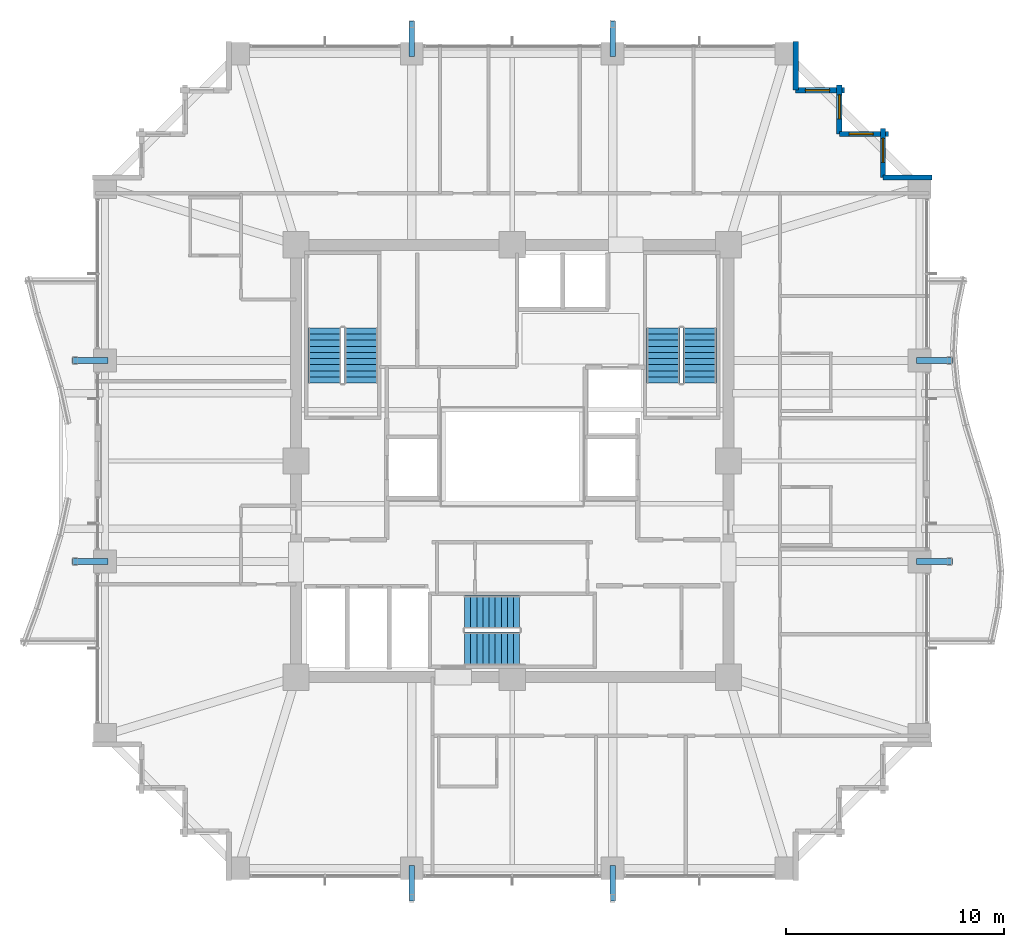
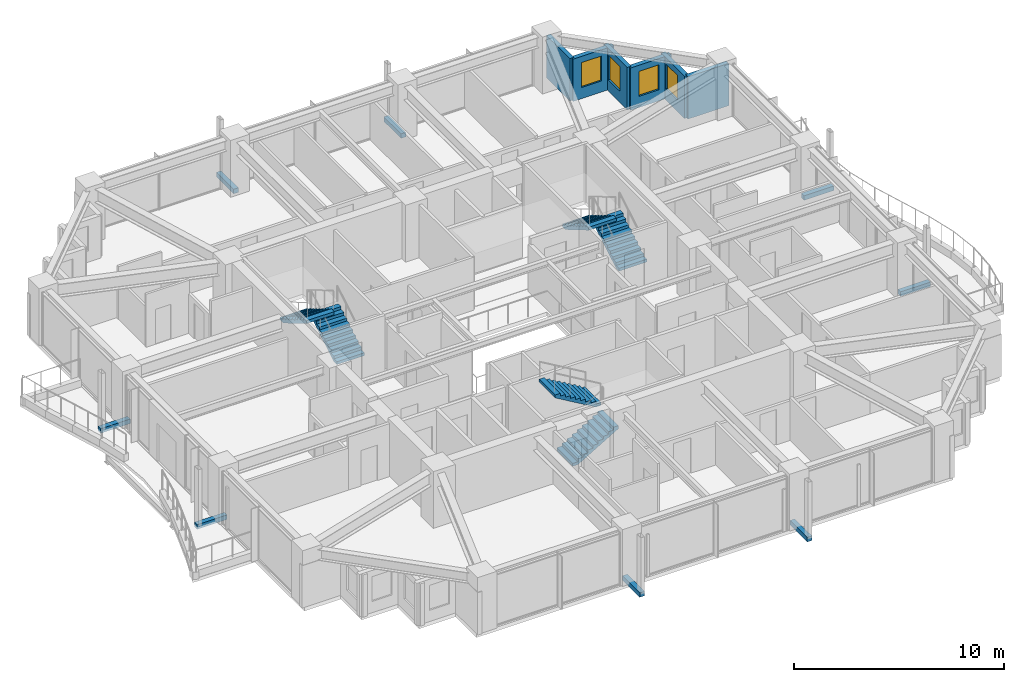
# One storey, part 33 of 35: 8 discrete accessories, 6 stair flights, 6 walls, 4 windows, 4 openings, 3 elements without a shape of their own.
"""IFC4 building model written with IfcOpenShell, lengths in metres."""

from ifc_helpers import new_model, si_unit, direction, frame, frame_2d, origin, origin_2d, place, context, subcontext, project, spatial, polyline, rectangle, outline, extrude, material, layer, layer_set, type_object, element, fill, aggregate, save


model = new_model("IFC4")

# Units and contexts
model_context = context("Model", 3, precision=1e-05, world=origin(), true_north=direction((0.0, 1.0)))
body_context = subcontext(model_context, "Body", "Model", "MODEL_VIEW")
ifc_project = project(units=[si_unit("LENGTHUNIT", "METRE"), si_unit("AREAUNIT", "SQUARE_METRE"), si_unit("VOLUMEUNIT", "CUBIC_METRE"), si_unit("PLANEANGLEUNIT", "RADIAN"), si_unit("MASSUNIT", "GRAM", prefix="KILO")], contexts=[model_context])

# Site, building, storey
site_placement = place(None, origin())
site = spatial("IfcSite", under=ifc_project, at=site_placement, CompositionType="ELEMENT")
building_placement = place(site_placement, origin())
building = spatial("IfcBuilding", under=site, at=building_placement, Name="Kolvaren Belvedere", CompositionType="ELEMENT")
storey_placement = place(building_placement, frame((0.0, 0.0, 115.10009765625)))
storey = spatial("IfcBuildingStorey", under=building, at=storey_placement, Name="L33", CompositionType="ELEMENT", Elevation=115.10009765625)

# Wall
ifc_material_1 = material(Name="Insulated pale-metal facade wall assembly", Category="aluminium")
ifc_layer = layer(ifc_material_1, 0.239990234375)
ifc_layer_set = layer_set([ifc_layer], Name="Insulated pale-metal facade wall assembly")
wall_type = type_object("IfcWallType", Name="WL-EXT-240", PredefinedType="STANDARD", material=ifc_layer_set)
wall_1_placement = place(storey_placement, frame((16.97998046875, 12.97998046875, 0.0), z_axis=(0.0, 0.0, 1.0), x_axis=(1.0, 0.0, 0.0)))
element("IfcWall", 1, at=wall_1_placement, inside=storey, type_object=wall_type, Name="L33 Serrated Corner Facade Wall 9", PredefinedType="STANDARD", context=body_context, shape_type="SweptSolid", body=[
    extrude(rectangle(XDim=2.239990234375, YDim=0.239990234375, at=frame_2d((1.1201171875, 0.0))), origin(), (0.0, 0.0, 1.0), 2.458984375),
])

# Wall, opening, window
wall_2_placement = place(storey_placement, frame((16.97998046875, 15.219970703125, 0.0), z_axis=(0.0, 0.0, 1.0), x_axis=(0.0, -1.0, 0.0)))
wall_2 = element("IfcWall", 2, at=wall_2_placement, inside=storey, type_object=wall_type, Name="L33 Serrated Corner Facade Wall 10", PredefinedType="STANDARD", context=body_context, shape_type="SweptSolid", body=[
    extrude(rectangle(XDim=2.239990234375, YDim=0.239990234375, at=frame_2d((1.1201171875, 0.0))), origin(), (0.0, 0.0, 1.0), 2.458984375),
])
opening_1_placement = place(wall_2_placement, frame((0.449951171875, 0.0, 0.64990234375)))
opening_1 = element("IfcOpeningElement", 3, at=opening_1_placement, cuts=wall_2, Name="Opening W-1100", PredefinedType="OPENING", context=body_context, shape_type="SweptSolid", body=[
    extrude(rectangle(XDim=1.10009765625, YDim=1.449951171875, at=frame_2d((0.550048828125, 0.72509765625))), frame((0.0, 0.1298828125, 0.0), z_axis=(0.0, -1.0, 0.0), x_axis=(1.0, 0.0, 0.0)), (0.0, 0.0, 1.0), 0.260009765625),
])
ifc_material_2 = material(Name="Low-iron triple insulated glass", Category="glass")
window_type = type_object("IfcWindowType", Name="WN-CORN-1100", PartitioningType="SINGLE_PANEL", PredefinedType="WINDOW", material=ifc_material_2)
window_1_placement = place(opening_1_placement, origin())
window_1 = element("IfcWindow", 4, at=window_1_placement, inside=storey, type_object=window_type, Name="L33 Serrated Corner Vision Window 10", OverallHeight=1.449951171875, OverallWidth=1.10009765625, PartitioningType="SINGLE_PANEL", PredefinedType="WINDOW", context=body_context, shape_type="SweptSolid", body=[
    extrude(rectangle(XDim=1.10009765625, YDim=1.449951171875, at=frame_2d((0.550048828125, 0.72509765625))), frame((0.0, 0.030029296875, 0.0), z_axis=(0.0, -1.0, 0.0), x_axis=(1.0, 0.0, 0.0)), (0.0, 0.0, 1.0), 0.06005859375),
])
fill(opening_1, window_1)

wall_3_placement = place(storey_placement, frame((14.97998046875, 14.97998046875, 0.0), z_axis=(0.0, 0.0, 1.0), x_axis=(1.0, 0.0, 0.0)))
wall_3 = element("IfcWall", 5, at=wall_3_placement, inside=storey, type_object=wall_type, Name="L33 Serrated Corner Facade Wall 11", PredefinedType="STANDARD", context=body_context, shape_type="SweptSolid", body=[
    extrude(rectangle(XDim=2.239990234375, YDim=0.239990234375, at=frame_2d((1.1201171875, 0.0))), origin(), (0.0, 0.0, 1.0), 2.458984375),
])
opening_2_placement = place(wall_3_placement, frame((0.449951171875, 0.0, 0.64990234375)))
opening_2 = element("IfcOpeningElement", 6, at=opening_2_placement, cuts=wall_3, Name="Opening W-1100", PredefinedType="OPENING", context=body_context, shape_type="SweptSolid", body=[
    extrude(rectangle(XDim=1.10009765625, YDim=1.449951171875, at=frame_2d((0.550048828125, 0.72509765625))), frame((0.0, 0.1298828125, 0.0), z_axis=(0.0, -1.0, 0.0), x_axis=(1.0, 0.0, 0.0)), (0.0, 0.0, 1.0), 0.260009765625),
])
window_2_placement = place(opening_2_placement, origin())
window_2 = element("IfcWindow", 7, at=window_2_placement, inside=storey, type_object=window_type, Name="L33 Serrated Corner Vision Window 11", OverallHeight=1.449951171875, OverallWidth=1.10009765625, PartitioningType="SINGLE_PANEL", PredefinedType="WINDOW", context=body_context, shape_type="SweptSolid", body=[
    extrude(rectangle(XDim=1.10009765625, YDim=1.449951171875, at=frame_2d((0.550048828125, 0.72509765625))), frame((0.0, 0.030029296875, 0.0), z_axis=(0.0, -1.0, 0.0), x_axis=(1.0, 0.0, 0.0)), (0.0, 0.0, 1.0), 0.06005859375),
])
fill(opening_2, window_2)

wall_4_placement = place(storey_placement, frame((14.97998046875, 17.219970703125, 0.0), z_axis=(0.0, 0.0, 1.0), x_axis=(0.0, -1.0, 0.0)))
wall_4 = element("IfcWall", 8, at=wall_4_placement, inside=storey, type_object=wall_type, Name="L33 Serrated Corner Facade Wall 12", PredefinedType="STANDARD", context=body_context, shape_type="SweptSolid", body=[
    extrude(rectangle(XDim=2.239990234375, YDim=0.239990234375, at=frame_2d((1.1201171875, 0.0))), origin(), (0.0, 0.0, 1.0), 2.458984375),
])
opening_3_placement = place(wall_4_placement, frame((0.449951171875, 0.0, 0.64990234375)))
opening_3 = element("IfcOpeningElement", 9, at=opening_3_placement, cuts=wall_4, Name="Opening W-1100", PredefinedType="OPENING", context=body_context, shape_type="SweptSolid", body=[
    extrude(rectangle(XDim=1.10009765625, YDim=1.449951171875, at=frame_2d((0.550048828125, 0.72509765625))), frame((0.0, 0.1298828125, 0.0), z_axis=(0.0, -1.0, 0.0), x_axis=(1.0, 0.0, 0.0)), (0.0, 0.0, 1.0), 0.260009765625),
])
window_3_placement = place(opening_3_placement, origin())
window_3 = element("IfcWindow", 10, at=window_3_placement, inside=storey, type_object=window_type, Name="L33 Serrated Corner Vision Window 12", OverallHeight=1.449951171875, OverallWidth=1.10009765625, PartitioningType="SINGLE_PANEL", PredefinedType="WINDOW", context=body_context, shape_type="SweptSolid", body=[
    extrude(rectangle(XDim=1.10009765625, YDim=1.449951171875, at=frame_2d((0.550048828125, 0.72509765625))), frame((0.0, 0.030029296875, 0.0), z_axis=(0.0, -1.0, 0.0), x_axis=(1.0, 0.0, 0.0)), (0.0, 0.0, 1.0), 0.06005859375),
])
fill(opening_3, window_3)

wall_5_placement = place(storey_placement, frame((12.97998046875, 16.97998046875, 0.0), z_axis=(0.0, 0.0, 1.0), x_axis=(1.0, 0.0, 0.0)))
wall_5 = element("IfcWall", 11, at=wall_5_placement, inside=storey, type_object=wall_type, Name="L33 Serrated Corner Facade Wall 13", PredefinedType="STANDARD", context=body_context, shape_type="SweptSolid", body=[
    extrude(rectangle(XDim=2.239990234375, YDim=0.239990234375, at=frame_2d((1.1201171875, 0.0))), origin(), (0.0, 0.0, 1.0), 2.458984375),
])
opening_4_placement = place(wall_5_placement, frame((0.449951171875, 0.0, 0.64990234375)))
opening_4 = element("IfcOpeningElement", 12, at=opening_4_placement, cuts=wall_5, Name="Opening W-1100", PredefinedType="OPENING", context=body_context, shape_type="SweptSolid", body=[
    extrude(rectangle(XDim=1.10009765625, YDim=1.449951171875, at=frame_2d((0.550048828125, 0.72509765625))), frame((0.0, 0.1298828125, 0.0), z_axis=(0.0, -1.0, 0.0), x_axis=(1.0, 0.0, 0.0)), (0.0, 0.0, 1.0), 0.260009765625),
])
window_4_placement = place(opening_4_placement, origin())
window_4 = element("IfcWindow", 13, at=window_4_placement, inside=storey, type_object=window_type, Name="L33 Serrated Corner Vision Window 13", OverallHeight=1.449951171875, OverallWidth=1.10009765625, PartitioningType="SINGLE_PANEL", PredefinedType="WINDOW", context=body_context, shape_type="SweptSolid", body=[
    extrude(rectangle(XDim=1.10009765625, YDim=1.449951171875, at=frame_2d((0.550048828125, 0.72509765625))), frame((0.0, 0.030029296875, 0.0), z_axis=(0.0, -1.0, 0.0), x_axis=(1.0, 0.0, 0.0)), (0.0, 0.0, 1.0), 0.06005859375),
])
fill(opening_4, window_4)

# Wall
wall_6_placement = place(storey_placement, frame((12.97998046875, 19.219970703125, 0.0), z_axis=(0.0, 0.0, 1.0), x_axis=(0.0, -1.0, 0.0)))
element("IfcWall", 14, at=wall_6_placement, inside=storey, type_object=wall_type, Name="L33 Serrated Corner Facade Wall 14", PredefinedType="STANDARD", context=body_context, shape_type="SweptSolid", body=[
    extrude(rectangle(XDim=2.239990234375, YDim=0.239990234375, at=frame_2d((1.1201171875, 0.0))), origin(), (0.0, 0.0, 1.0), 2.458984375),
])

# Stair, stair flights
ifc_material_3 = material(Name="Concrete C50/60", Category="concrete")
stair_type = type_object("IfcStairType", Name="ST-CORE-1520", PredefinedType="HALF_TURN_STAIR", material=ifc_material_3)
stair_1_placement = place(storey_placement, origin())
stair_1 = element("IfcStair", 15, at=stair_1_placement, inside=storey, type_object=stair_type, Name="L33 Protected Exit Stair ST-1", PredefinedType="HALF_TURN_STAIR")
ifc_material_4 = material(Name="Concrete C50/60", Category="concrete")
stair_flight_type = type_object("IfcStairFlightType", Name="SF-STR-1520", PredefinedType="STRAIGHT", material=ifc_material_4)
stair_flight_1_placement = place(storey_placement, frame((-6.919921875, 3.570068359375, 0.0), z_axis=(0.0, 0.0, 1.0), x_axis=(0.0, 1.0, 0.0)))
stair_flight_1 = element("IfcStairFlight", 16, at=stair_flight_1_placement, type_object=stair_flight_type, Name="ST-1 flight 1", NumberOfRisers=10, NumberOfTreads=9, PredefinedType="STRAIGHT", RiserHeight=0.165, TreadLength=0.28, context=body_context, shape_type="SweptSolid", body=[
    extrude(outline(polyline([(0.0, 0.0), (0.0, 0.1650390625), (0.280029296875, 0.1650390625), (0.280029296875, 0.330078125), (0.56005859375, 0.330078125), (0.56005859375, 0.4951171875), (0.840087890625, 0.4951171875), (0.840087890625, 0.659912109375), (1.1201171875, 0.659912109375), (1.1201171875, 0.824951171875), (1.39990234375, 0.824951171875), (1.39990234375, 0.989990234375), (1.679931640625, 0.989990234375), (1.679931640625, 1.155029296875), (1.9599609375, 1.155029296875), (1.9599609375, 1.320068359375), (2.239990234375, 1.320068359375), (2.239990234375, 1.485107421875), (2.52001953125, 1.485107421875), (2.52001953125, 1.64990234375), (2.52001953125, 1.31103515625), (0.295166015625, 0.0), (0.0, 0.0)])), frame((0.0, 0.760009765625, 0.0), z_axis=(0.0, -1.0, 0.0), x_axis=(1.0, 0.0, 0.0)), (0.0, 0.0, 1.0), 1.52001953125),
])
stair_flight_2_placement = place(storey_placement, frame((-8.590087890625, 6.090087890625, 1.64990234375), z_axis=(0.0, 0.0, 1.0), x_axis=(0.0, -1.0, 0.0)))
stair_flight_2 = element("IfcStairFlight", 17, at=stair_flight_2_placement, type_object=stair_flight_type, Name="ST-1 flight 2", NumberOfRisers=10, NumberOfTreads=9, PredefinedType="STRAIGHT", RiserHeight=0.165, TreadLength=0.28, context=body_context, shape_type="SweptSolid", body=[
    extrude(outline(polyline([(0.0, 0.0), (0.0, 0.1650390625), (0.280029296875, 0.1650390625), (0.280029296875, 0.330078125), (0.56005859375, 0.330078125), (0.56005859375, 0.4951171875), (0.840087890625, 0.4951171875), (0.840087890625, 0.659912109375), (1.1201171875, 0.659912109375), (1.1201171875, 0.824951171875), (1.39990234375, 0.824951171875), (1.39990234375, 0.989990234375), (1.679931640625, 0.989990234375), (1.679931640625, 1.155029296875), (1.9599609375, 1.155029296875), (1.9599609375, 1.320068359375), (2.239990234375, 1.320068359375), (2.239990234375, 1.485107421875), (2.52001953125, 1.485107421875), (2.52001953125, 1.64990234375), (2.52001953125, 1.31103515625), (0.295166015625, 0.0), (0.0, 0.0)])), frame((0.0, 0.760009765625, 0.0), z_axis=(0.0, -1.0, 0.0), x_axis=(1.0, 0.0, 0.0)), (0.0, 0.0, 1.0), 1.52001953125),
])
aggregate(stair_1, [stair_flight_1, stair_flight_2])

stair_2_placement = place(storey_placement, origin())
stair_2 = element("IfcStair", 18, at=stair_2_placement, inside=storey, type_object=stair_type, Name="L33 Protected Exit Stair ST-2", PredefinedType="HALF_TURN_STAIR")
stair_flight_3_placement = place(storey_placement, frame((8.590087890625, 3.570068359375, 0.0), z_axis=(0.0, 0.0, 1.0), x_axis=(0.0, 1.0, 0.0)))
stair_flight_3 = element("IfcStairFlight", 19, at=stair_flight_3_placement, type_object=stair_flight_type, Name="ST-2 flight 1", NumberOfRisers=10, NumberOfTreads=9, PredefinedType="STRAIGHT", RiserHeight=0.165, TreadLength=0.28, context=body_context, shape_type="SweptSolid", body=[
    extrude(outline(polyline([(0.0, 0.0), (0.0, 0.1650390625), (0.280029296875, 0.1650390625), (0.280029296875, 0.330078125), (0.56005859375, 0.330078125), (0.56005859375, 0.4951171875), (0.840087890625, 0.4951171875), (0.840087890625, 0.659912109375), (1.1201171875, 0.659912109375), (1.1201171875, 0.824951171875), (1.39990234375, 0.824951171875), (1.39990234375, 0.989990234375), (1.679931640625, 0.989990234375), (1.679931640625, 1.155029296875), (1.9599609375, 1.155029296875), (1.9599609375, 1.320068359375), (2.239990234375, 1.320068359375), (2.239990234375, 1.485107421875), (2.52001953125, 1.485107421875), (2.52001953125, 1.64990234375), (2.52001953125, 1.31103515625), (0.295166015625, 0.0), (0.0, 0.0)])), frame((0.0, 0.760009765625, 0.0), z_axis=(0.0, -1.0, 0.0), x_axis=(1.0, 0.0, 0.0)), (0.0, 0.0, 1.0), 1.52001953125),
])
stair_flight_4_placement = place(storey_placement, frame((6.919921875, 6.090087890625, 1.64990234375), z_axis=(0.0, 0.0, 1.0), x_axis=(0.0, -1.0, 0.0)))
stair_flight_4 = element("IfcStairFlight", 20, at=stair_flight_4_placement, type_object=stair_flight_type, Name="ST-2 flight 2", NumberOfRisers=10, NumberOfTreads=9, PredefinedType="STRAIGHT", RiserHeight=0.165, TreadLength=0.28, context=body_context, shape_type="SweptSolid", body=[
    extrude(outline(polyline([(0.0, 0.0), (0.0, 0.1650390625), (0.280029296875, 0.1650390625), (0.280029296875, 0.330078125), (0.56005859375, 0.330078125), (0.56005859375, 0.4951171875), (0.840087890625, 0.4951171875), (0.840087890625, 0.659912109375), (1.1201171875, 0.659912109375), (1.1201171875, 0.824951171875), (1.39990234375, 0.824951171875), (1.39990234375, 0.989990234375), (1.679931640625, 0.989990234375), (1.679931640625, 1.155029296875), (1.9599609375, 1.155029296875), (1.9599609375, 1.320068359375), (2.239990234375, 1.320068359375), (2.239990234375, 1.485107421875), (2.52001953125, 1.485107421875), (2.52001953125, 1.64990234375), (2.52001953125, 1.31103515625), (0.295166015625, 0.0), (0.0, 0.0)])), frame((0.0, 0.760009765625, 0.0), z_axis=(0.0, -1.0, 0.0), x_axis=(1.0, 0.0, 0.0)), (0.0, 0.0, 1.0), 1.52001953125),
])
aggregate(stair_2, [stair_flight_3, stair_flight_4])

stair_3_placement = place(storey_placement, origin())
stair_3 = element("IfcStair", 21, at=stair_3_placement, inside=storey, type_object=stair_type, Name="L33 Protected Exit Stair ST-3", PredefinedType="HALF_TURN_STAIR")
stair_flight_5_placement = place(storey_placement, frame((-2.179931640625, -8.590087890625, 0.0), z_axis=(0.0, 0.0, 1.0), x_axis=(1.0, 0.0, 0.0)))
stair_flight_5 = element("IfcStairFlight", 22, at=stair_flight_5_placement, type_object=stair_flight_type, Name="ST-3 flight 1", NumberOfRisers=10, NumberOfTreads=9, PredefinedType="STRAIGHT", RiserHeight=0.165, TreadLength=0.28, context=body_context, shape_type="SweptSolid", body=[
    extrude(outline(polyline([(0.0, 0.0), (0.0, 0.1650390625), (0.280029296875, 0.1650390625), (0.280029296875, 0.330078125), (0.56005859375, 0.330078125), (0.56005859375, 0.4951171875), (0.840087890625, 0.4951171875), (0.840087890625, 0.659912109375), (1.1201171875, 0.659912109375), (1.1201171875, 0.824951171875), (1.39990234375, 0.824951171875), (1.39990234375, 0.989990234375), (1.679931640625, 0.989990234375), (1.679931640625, 1.155029296875), (1.9599609375, 1.155029296875), (1.9599609375, 1.320068359375), (2.239990234375, 1.320068359375), (2.239990234375, 1.485107421875), (2.52001953125, 1.485107421875), (2.52001953125, 1.64990234375), (2.52001953125, 1.31103515625), (0.295166015625, 0.0), (0.0, 0.0)])), frame((0.0, 0.760009765625, 0.0), z_axis=(0.0, -1.0, 0.0), x_axis=(1.0, 0.0, 0.0)), (0.0, 0.0, 1.0), 1.52001953125),
])
stair_flight_6_placement = place(storey_placement, frame((0.340087890625, -6.919921875, 1.64990234375), z_axis=(0.0, 0.0, 1.0), x_axis=(-1.0, 0.0, 0.0)))
stair_flight_6 = element("IfcStairFlight", 23, at=stair_flight_6_placement, type_object=stair_flight_type, Name="ST-3 flight 2", NumberOfRisers=10, NumberOfTreads=9, PredefinedType="STRAIGHT", RiserHeight=0.165, TreadLength=0.28, context=body_context, shape_type="SweptSolid", body=[
    extrude(outline(polyline([(0.0, 0.0), (0.0, 0.1650390625), (0.280029296875, 0.1650390625), (0.280029296875, 0.330078125), (0.56005859375, 0.330078125), (0.56005859375, 0.4951171875), (0.840087890625, 0.4951171875), (0.840087890625, 0.659912109375), (1.1201171875, 0.659912109375), (1.1201171875, 0.824951171875), (1.39990234375, 0.824951171875), (1.39990234375, 0.989990234375), (1.679931640625, 0.989990234375), (1.679931640625, 1.155029296875), (1.9599609375, 1.155029296875), (1.9599609375, 1.320068359375), (2.239990234375, 1.320068359375), (2.239990234375, 1.485107421875), (2.52001953125, 1.485107421875), (2.52001953125, 1.64990234375), (2.52001953125, 1.31103515625), (0.295166015625, 0.0), (0.0, 0.0)])), frame((0.0, 0.760009765625, 0.0), z_axis=(0.0, -1.0, 0.0), x_axis=(1.0, 0.0, 0.0)), (0.0, 0.0, 1.0), 1.52001953125),
])
aggregate(stair_3, [stair_flight_5, stair_flight_6])

# Discrete accessories
ifc_material_5 = material(Name="Structural steel ASTM A572 Grade 50", Category="steel")
discrete_accessory_type = type_object("IfcDiscreteAccessoryType", Name="BRK-1 Steel Facade Support Bracket", PredefinedType="BRACKET", material=ifc_material_5)
for number, where, z_axis, x_axis, name in (
    (24, (-4.60009765625, 19.3349609375, -0.169921875), (0.0, 0.0, 1.0), (0.0, 1.0, 0.0), "L33 Picture-Frame Outrigger Cleat Bracket N1"),
    (25, (4.60009765625, 19.3349609375, -0.169921875), (0.0, 0.0, 1.0), (0.0, 1.0, 0.0), "L33 Picture-Frame Outrigger Cleat Bracket N2"),
    (26, (4.60009765625, -19.3349609375, -0.169921875), (0.0, 0.0, 1.0), (0.0, 1.0, 0.0), "L33 Picture-Frame Outrigger Cleat Bracket S1"),
    (27, (-4.60009765625, -19.3349609375, -0.169921875), (0.0, 0.0, 1.0), (0.0, 1.0, 0.0), "L33 Picture-Frame Outrigger Cleat Bracket S2"),
    (28, (19.3349609375, 4.60009765625, -0.169921875), (0.0, 0.0, 1.0), (1.0, 0.0, 0.0), "L33 Picture-Frame Outrigger Cleat Bracket E1"),
    (29, (19.3349609375, -4.60009765625, -0.169921875), (0.0, 0.0, 1.0), (1.0, 0.0, 0.0), "L33 Picture-Frame Outrigger Cleat Bracket E2"),
    (30, (-19.3349609375, -4.60009765625, -0.169921875), (0.0, 0.0, 1.0), (1.0, 0.0, 0.0), "L33 Picture-Frame Outrigger Cleat Bracket W1"),
    (31, (-19.3349609375, 4.60009765625, -0.169921875), (0.0, 0.0, 1.0), (1.0, 0.0, 0.0), "L33 Picture-Frame Outrigger Cleat Bracket W2"),
):
    element("IfcDiscreteAccessory", number, at=place(storey_placement, frame(where, z_axis=z_axis, x_axis=x_axis)), inside=storey, type_object=discrete_accessory_type, Name=name, PredefinedType="BRACKET", context=body_context, shape_type="SweptSolid", body=[
        extrude(rectangle(XDim=1.639892578125, YDim=0.260009765625, at=origin_2d()), origin(), (0.0, 0.0, 1.0), 0.260009765625),
    ])

save(model, "model.ifc")
